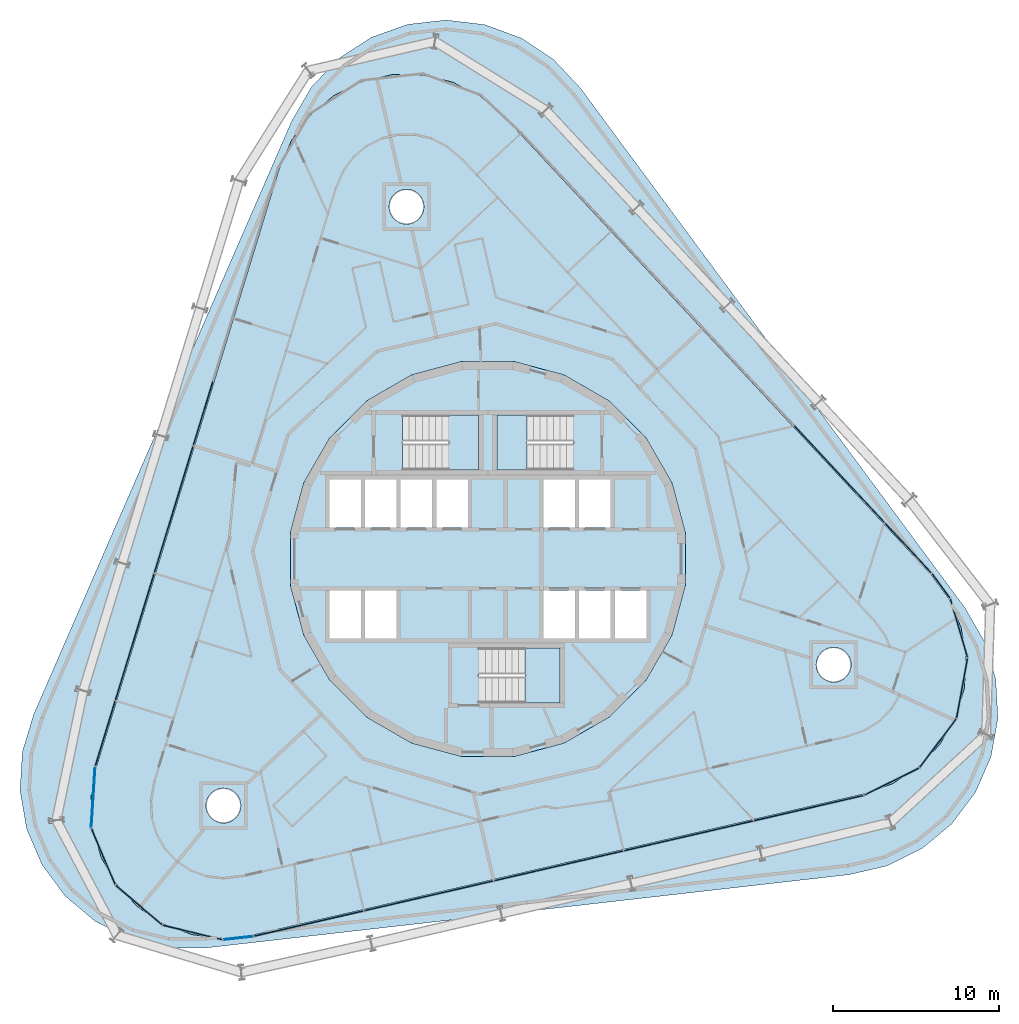
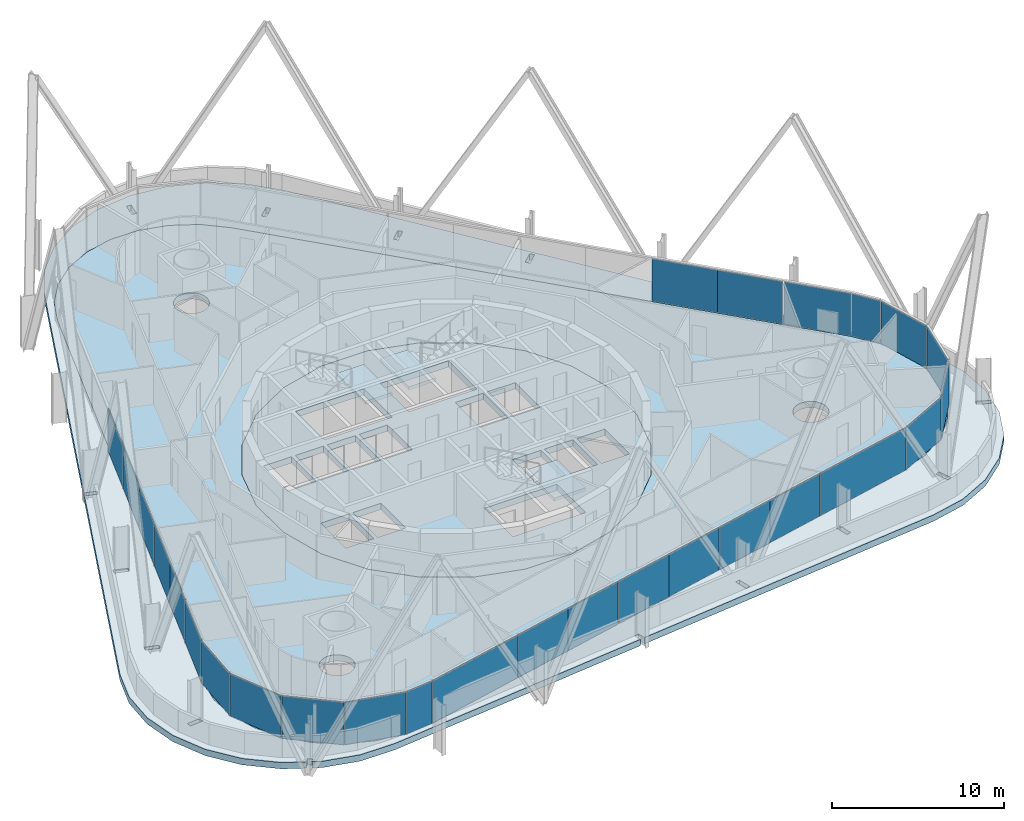
# One storey, part 10 of 18: 27 plates, 6 slabs, 8 elements without a shape of their own.
"""IFC4 building model written with IfcOpenShell, lengths in metres."""

from ifc_helpers import new_model, si_unit, direction, frame, origin, origin_2d, place, context, subcontext, project, spatial, polyline, rectangle, outline, extrude, material, layer, layer_set, type_object, element, aggregate, save


model = new_model("IFC4")

# Units and contexts
model_context = context("Model", 3, precision=1e-05, world=origin(), true_north=direction((0.0, 1.0)))
body_context = subcontext(model_context, "Body", "Model", "MODEL_VIEW")
ifc_project = project(units=[si_unit("LENGTHUNIT", "METRE"), si_unit("AREAUNIT", "SQUARE_METRE"), si_unit("VOLUMEUNIT", "CUBIC_METRE"), si_unit("PLANEANGLEUNIT", "RADIAN"), si_unit("MASSUNIT", "GRAM", prefix="KILO")], contexts=[model_context])

# Site, building, storey
site_placement = place(None, origin())
site = spatial("IfcSite", under=ifc_project, at=site_placement, CompositionType="ELEMENT")
building_placement = place(site_placement, origin())
building = spatial("IfcBuilding", under=site, at=building_placement, Name="Spindle Arch Residences", CompositionType="ELEMENT")
storey_placement = place(building_placement, frame((0.0, 0.0, 113.39990234375)))
storey = spatial("IfcBuildingStorey", under=building, at=storey_placement, Name="L27", CompositionType="ELEMENT", Elevation=113.39990234375)

# Slabs
ifc_material_1 = material(Name="Concrete C40/50", Category="concrete")
ifc_layer_1 = layer(ifc_material_1, 0.449951171875)
ifc_layer_set_1 = layer_set([ifc_layer_1], Name="Compartment floor slab 450")
slab_type_1 = type_object("IfcSlabType", Name="Compartment floor slab 450", PredefinedType="FLOOR", material=ifc_layer_set_1)
slab_1_placement = place(storey_placement, frame((0.0, 0.0, -0.449951171875)))
element("IfcSlab", 1, at=slab_1_placement, inside=storey, type_object=slab_type_1, Name="Floor slab L27", PredefinedType="FLOOR", context=body_context, shape_type="SweptSolid", body=[
    extrude(outline(polyline([(-15.976806640625, -22.85498046875), (-17.8203125, -22.628662109375), (-19.56201171875, -21.983154296875), (-21.108154296875, -20.95361328125), (-22.375, -19.594970703125), (-23.294189453125, -17.98095703125), (-23.816650390625, -16.198486328125), (-23.913818359375, -14.343505859375), (-23.58056640625, -12.51611328125), (-12.55029296875, 23.5625), (-11.8046875, 25.263916015625), (-10.686767578125, 26.747314453125), (-9.257080078125, 27.932861328125), (-7.59228515625, 28.7568359375), (-5.7822265625, 29.1748046875), (-3.9248046875, 29.163818359375), (-2.1201171875, 28.72509765625), (-0.465087890625, 27.881591796875), (0.950927734375, 26.679443359375), (26.680908203125, -0.912353515625), (27.781494140625, -2.40869140625), (28.507080078125, -4.11865234375), (28.819091796875, -5.94970703125), (28.7001953125, -7.803466796875), (28.1572265625, -9.57958984375), (27.218994140625, -11.182861328125), (25.9365234375, -12.526611328125), (24.37890625, -13.5380859375), (22.629638671875, -14.163330078125), (4.24951171875, -18.40673828125), (-14.130615234375, -22.650146484375), (-15.976806640625, -22.85498046875)]), holes=[polyline([(7.30517578125, -9.520263671875), (9.520263671875, -7.30517578125), (11.086669921875, -4.59228515625), (11.897216796875, -1.56640625), (11.897216796875, 1.56640625), (11.086669921875, 4.59228515625), (9.520263671875, 7.30517578125), (7.30517578125, 9.520263671875), (4.59228515625, 11.086669921875), (1.56640625, 11.897216796875), (-1.56640625, 11.897216796875), (-4.59228515625, 11.086669921875), (-7.30517578125, 9.520263671875), (-9.520263671875, 7.30517578125), (-11.086669921875, 4.59228515625), (-11.897216796875, 1.56640625), (-11.897216796875, -1.56640625), (-11.086669921875, -4.59228515625), (-9.520263671875, -7.30517578125), (-7.30517578125, -9.520263671875), (-4.59228515625, -11.086669921875), (-1.56640625, -11.897216796875), (1.56640625, -11.897216796875), (4.59228515625, -11.086669921875), (7.30517578125, -9.520263671875)]), polyline([(-15.187744140625, -15.59765625), (-15.05712890625, -15.4384765625), (-14.960205078125, -15.257080078125), (-14.900390625, -15.06005859375), (-14.880126953125, -14.855224609375), (-14.900390625, -14.650390625), (-14.960205078125, -14.453369140625), (-15.05712890625, -14.27197265625), (-15.187744140625, -14.11279296875), (-15.346923828125, -13.982177734375), (-15.5283203125, -13.885009765625), (-15.725341796875, -13.825439453125), (-15.93017578125, -13.80517578125), (-16.135009765625, -13.825439453125), (-16.33203125, -13.885009765625), (-16.513427734375, -13.982177734375), (-16.672607421875, -14.11279296875), (-16.80322265625, -14.27197265625), (-16.900390625, -14.453369140625), (-16.9599609375, -14.650390625), (-16.980224609375, -14.855224609375), (-16.9599609375, -15.06005859375), (-16.900390625, -15.257080078125), (-16.80322265625, -15.4384765625), (-16.672607421875, -15.59765625), (-16.513427734375, -15.728271484375), (-16.33203125, -15.8251953125), (-16.135009765625, -15.885009765625), (-15.93017578125, -15.9052734375), (-15.725341796875, -15.885009765625), (-15.5283203125, -15.8251953125), (-15.346923828125, -15.728271484375), (-15.187744140625, -15.59765625)]), polyline([(-4.02685546875, 20.64013671875), (-3.9296875, 20.82177734375), (-3.8701171875, 21.018798828125), (-3.849853515625, 21.223388671875), (-3.8701171875, 21.42822265625), (-3.9296875, 21.625244140625), (-4.02685546875, 21.806884765625), (-4.1572265625, 21.966064453125), (-4.31640625, 22.096435546875), (-4.498046875, 22.193603515625), (-4.695068359375, 22.25341796875), (-4.89990234375, 22.2734375), (-5.1044921875, 22.25341796875), (-5.301513671875, 22.193603515625), (-5.483154296875, 22.096435546875), (-5.642333984375, 21.966064453125), (-5.772705078125, 21.806884765625), (-5.869873046875, 21.625244140625), (-5.9296875, 21.42822265625), (-5.94970703125, 21.223388671875), (-5.9296875, 21.018798828125), (-5.869873046875, 20.82177734375), (-5.772705078125, 20.64013671875), (-5.642333984375, 20.48095703125), (-5.483154296875, 20.3505859375), (-5.301513671875, 20.25341796875), (-5.1044921875, 20.193603515625), (-4.89990234375, 20.173583984375), (-4.695068359375, 20.193603515625), (-4.498046875, 20.25341796875), (-4.31640625, 20.3505859375), (-4.1572265625, 20.48095703125), (-4.02685546875, 20.64013671875)]), polyline([(21.702880859375, -6.95166015625), (21.800048828125, -6.770263671875), (21.85986328125, -6.5732421875), (21.8798828125, -6.368408203125), (21.85986328125, -6.16357421875), (21.800048828125, -5.966552734375), (21.702880859375, -5.78515625), (21.572509765625, -5.6259765625), (21.413330078125, -5.495361328125), (21.231689453125, -5.398193359375), (21.034912109375, -5.338623046875), (20.830078125, -5.318359375), (20.625244140625, -5.338623046875), (20.42822265625, -5.398193359375), (20.24658203125, -5.495361328125), (20.08740234375, -5.6259765625), (19.95703125, -5.78515625), (19.85986328125, -5.966552734375), (19.80029296875, -6.16357421875), (19.780029296875, -6.368408203125), (19.80029296875, -6.5732421875), (19.85986328125, -6.770263671875), (19.95703125, -6.95166015625), (20.08740234375, -7.11083984375), (20.24658203125, -7.241455078125), (20.42822265625, -7.33837890625), (20.625244140625, -7.398193359375), (20.830078125, -7.41845703125), (21.034912109375, -7.398193359375), (21.231689453125, -7.33837890625), (21.413330078125, -7.241455078125), (21.572509765625, -7.11083984375), (21.702880859375, -6.95166015625)])]), origin(), (0.0, 0.0, 1.0), 0.449951171875),
])
ifc_material_2 = material(Name="Concrete C50/60", Category="concrete")
ifc_layer_2 = layer(ifc_material_2, 0.449951171875)
ifc_layer_set_2 = layer_set([ifc_layer_2], Name="Core floor slab 450")
slab_type_2 = type_object("IfcSlabType", Name="Core floor slab 450", PredefinedType="FLOOR", material=ifc_layer_set_2)
slab_2_placement = place(storey_placement, frame((0.0, 0.0, -0.449951171875)))
element("IfcSlab", 2, at=slab_2_placement, inside=storey, type_object=slab_type_2, Name="Core floor L27", PredefinedType="FLOOR", context=body_context, shape_type="SweptSolid", body=[
    extrude(outline(polyline([(1.56640625, -11.897216796875), (4.59228515625, -11.086669921875), (7.30517578125, -9.520263671875), (9.520263671875, -7.30517578125), (11.086669921875, -4.59228515625), (11.897216796875, -1.56640625), (11.897216796875, 1.56640625), (11.086669921875, 4.59228515625), (9.520263671875, 7.30517578125), (7.30517578125, 9.520263671875), (4.59228515625, 11.086669921875), (1.56640625, 11.897216796875), (-1.56640625, 11.897216796875), (-4.59228515625, 11.086669921875), (-7.30517578125, 9.520263671875), (-9.520263671875, 7.30517578125), (-11.086669921875, 4.59228515625), (-11.897216796875, 1.56640625), (-11.897216796875, -1.56640625), (-11.086669921875, -4.59228515625), (-9.520263671875, -7.30517578125), (-7.30517578125, -9.520263671875), (-4.59228515625, -11.086669921875), (-1.56640625, -11.897216796875), (1.56640625, -11.897216796875)]), holes=[polyline([(-9.550048828125, 1.89990234375), (-7.64990234375, 1.89990234375), (-7.64990234375, 4.800048828125), (-9.550048828125, 4.800048828125), (-9.550048828125, 1.89990234375)]), polyline([(-7.39990234375, 1.89990234375), (-5.5, 1.89990234375), (-5.5, 4.800048828125), (-7.39990234375, 4.800048828125), (-7.39990234375, 1.89990234375)]), polyline([(-5.25, 1.89990234375), (-3.35009765625, 1.89990234375), (-3.35009765625, 4.800048828125), (-5.25, 4.800048828125), (-5.25, 1.89990234375)]), polyline([(-3.10009765625, 1.89990234375), (-1.199951171875, 1.89990234375), (-1.199951171875, 4.800048828125), (-3.10009765625, 4.800048828125), (-3.10009765625, 1.89990234375)]), polyline([(3.35009765625, 1.89990234375), (5.25, 1.89990234375), (5.25, 4.800048828125), (3.35009765625, 4.800048828125), (3.35009765625, 1.89990234375)]), polyline([(5.5, 1.89990234375), (7.39990234375, 1.89990234375), (7.39990234375, 4.800048828125), (5.5, 4.800048828125), (5.5, 1.89990234375)]), polyline([(-9.550048828125, -4.800048828125), (-7.64990234375, -4.800048828125), (-7.64990234375, -1.89990234375), (-9.550048828125, -1.89990234375), (-9.550048828125, -4.800048828125)]), polyline([(-7.39990234375, -4.800048828125), (-5.5, -4.800048828125), (-5.5, -1.89990234375), (-7.39990234375, -1.89990234375), (-7.39990234375, -4.800048828125)]), polyline([(3.35009765625, -4.800048828125), (5.25, -4.800048828125), (5.25, -1.89990234375), (3.35009765625, -1.89990234375), (3.35009765625, -4.800048828125)]), polyline([(5.5, -4.800048828125), (7.39990234375, -4.800048828125), (7.39990234375, -1.89990234375), (5.5, -1.89990234375), (5.5, -4.800048828125)]), polyline([(7.64990234375, -4.800048828125), (9.550048828125, -4.800048828125), (9.550048828125, -1.89990234375), (7.64990234375, -1.89990234375), (7.64990234375, -4.800048828125)]), polyline([(5.1298828125, 8.669921875), (0.550048828125, 8.669921875), (0.550048828125, 5.35009765625), (5.1298828125, 5.35009765625), (5.1298828125, 8.669921875)]), polyline([(-5.1298828125, 5.35009765625), (-0.550048828125, 5.35009765625), (-0.550048828125, 8.669921875), (-5.1298828125, 8.669921875), (-5.1298828125, 5.35009765625)]), polyline([(-0.530029296875, -8.669921875), (4.35009765625, -8.669921875), (4.35009765625, -5.35009765625), (-0.530029296875, -5.35009765625), (-0.530029296875, -8.669921875)])]), origin(), (0.0, 0.0, 1.0), 0.449951171875),
])

# Stair, slab
ifc_material_3 = material(Name="Concrete C50/60", Category="concrete")
stair_type = type_object("IfcStairType", Name="Exit stair 16 risers", PredefinedType="HALF_TURN_STAIR", material=ifc_material_3)
stair_1_placement = place(storey_placement, origin())
stair_1 = element("IfcStair", 3, at=stair_1_placement, inside=storey, type_object=stair_type, Name="L27 Exit stair ST1", PredefinedType="HALF_TURN_STAIR")
ifc_material_4 = material(Name="Concrete C50/60", Category="concrete")
ifc_layer_3 = layer(ifc_material_4, 0.219970703125)
ifc_layer_set_3 = layer_set([ifc_layer_3], Name="Exit stair landing 220")
slab_type_3 = type_object("IfcSlabType", Name="Exit stair landing 220", PredefinedType="LANDING", material=ifc_layer_set_3)
slab_3_placement = place(storey_placement, frame((0.0, 0.0, 1.530029296875)))
slab_3 = element("IfcSlab", 4, at=slab_3_placement, type_object=slab_type_3, Name="ST1 landing 1", PredefinedType="LANDING", context=body_context, shape_type="SweptSolid", body=[
    extrude(outline(polyline([(2.3701171875, 8.669921875), (0.550048828125, 8.669921875), (0.550048828125, 5.35009765625), (2.3701171875, 5.35009765625), (2.3701171875, 8.669921875)])), origin(), (0.0, 0.0, 1.0), 0.219970703125),
])
aggregate(stair_1, [slab_3])

stair_2_placement = place(storey_placement, origin())
stair_2 = element("IfcStair", 5, at=stair_2_placement, inside=storey, type_object=stair_type, Name="L27 Exit stair ST2", PredefinedType="HALF_TURN_STAIR")
slab_4_placement = place(storey_placement, frame((0.0, 0.0, 1.530029296875)))
slab_4 = element("IfcSlab", 6, at=slab_4_placement, type_object=slab_type_3, Name="ST2 landing 1", PredefinedType="LANDING", context=body_context, shape_type="SweptSolid", body=[
    extrude(outline(polyline([(-2.3701171875, 5.35009765625), (-0.550048828125, 5.35009765625), (-0.550048828125, 8.669921875), (-2.3701171875, 8.669921875), (-2.3701171875, 5.35009765625)])), origin(), (0.0, 0.0, 1.0), 0.219970703125),
])
aggregate(stair_2, [slab_4])

stair_3_placement = place(storey_placement, origin())
stair_3 = element("IfcStair", 7, at=stair_3_placement, inside=storey, type_object=stair_type, Name="L27 Exit stair ST3", PredefinedType="HALF_TURN_STAIR")
slab_5_placement = place(storey_placement, frame((0.0, 0.0, 1.530029296875)))
slab_5 = element("IfcSlab", 8, at=slab_5_placement, type_object=slab_type_3, Name="ST3 landing 1", PredefinedType="LANDING", context=body_context, shape_type="SweptSolid", body=[
    extrude(outline(polyline([(2.22998046875, -8.669921875), (4.35009765625, -8.669921875), (4.35009765625, -5.35009765625), (2.22998046875, -5.35009765625), (2.22998046875, -8.669921875)])), origin(), (0.0, 0.0, 1.0), 0.219970703125),
])
aggregate(stair_3, [slab_5])

# Slab
ifc_material_5 = material(Name="Concrete C40/50", Category="concrete")
ifc_layer_4 = layer(ifc_material_5, 0.449951171875)
ifc_layer_set_4 = layer_set([ifc_layer_4], Name="Terrace slab 450")
slab_type_4 = type_object("IfcSlabType", Name="Terrace slab 450", PredefinedType="FLOOR", material=ifc_layer_set_4)
slab_6_placement = place(storey_placement, frame((0.0, 0.0, -0.449951171875)))
element("IfcSlab", 9, at=slab_6_placement, inside=storey, type_object=slab_type_4, Name="Terrace slab L26", PredefinedType="FLOOR", context=body_context, shape_type="SweptSolid", body=[
    extrude(outline(polyline([(-19.300537109375, -23.420654296875), (-21.580810546875, -22.873291015625), (-22.10595703125, -22.607666015625), (-21.940673828125, -22.40625), (-22.17236328125, -22.2158203125), (-22.38037109375, -22.468994140625), (-23.67333984375, -21.814697265625), (-25.465576171875, -20.302001953125), (-26.8603515625, -18.4169921875), (-27.782958984375, -16.260986328125), (-28.183349609375, -13.950439453125), (-28.040283203125, -11.609619140625), (-27.361083984375, -9.364990234375), (-20.07958984375, 7.381591796875), (-19.2958984375, 7.141845703125), (-19.208251953125, 7.4287109375), (-19.959228515625, 7.658447265625), (-11.81103515625, 26.397705078125), (-10.632568359375, 28.425048828125), (-9.018310546875, 30.126220703125), (-7.055419921875, 31.4091796875), (-4.849365234375, 32.204833984375), (-2.519287109375, 32.47021484375), (-0.19091796875, 32.191162109375), (2.01025390625, 31.3828125), (3.9658203125, 30.08837890625), (5.5703125, 28.3779296875), (19.63671875, 9.367919921875), (19.483642578125, 9.22509765625), (19.688232421875, 9.005615234375), (19.81640625, 9.125244140625), (28.7666015625, -2.97021484375), (29.93310546875, -5.00439453125), (30.599365234375, -7.2529296875), (30.728759765625, -9.594482421875), (30.31494140625, -11.902587890625), (29.3798828125, -14.05322265625), (27.973876953125, -15.93017578125), (26.173095703125, -17.432373046875), (24.074462890625, -18.478759765625), (21.791015625, -19.012939453125), (2.417724609375, -21.22021484375), (0.970947265625, -21.385009765625), (0.85498046875, -20.8837890625), (0.562744140625, -20.951416015625), (0.6708984375, -21.419189453125), (-16.95556640625, -23.427490234375), (-19.300537109375, -23.420654296875)]), holes=[polyline([(24.37890625, -13.5380859375), (25.9365234375, -12.526611328125), (27.218994140625, -11.182861328125), (28.1572265625, -9.57958984375), (28.7001953125, -7.803466796875), (28.819091796875, -5.94970703125), (28.507080078125, -4.11865234375), (27.781494140625, -2.40869140625), (26.680908203125, -0.912353515625), (0.950927734375, 26.679443359375), (-0.465087890625, 27.881591796875), (-2.1201171875, 28.72509765625), (-3.9248046875, 29.163818359375), (-5.7822265625, 29.1748046875), (-7.59228515625, 28.7568359375), (-9.257080078125, 27.932861328125), (-10.686767578125, 26.747314453125), (-11.8046875, 25.263916015625), (-12.55029296875, 23.5625), (-23.58056640625, -12.51611328125), (-23.913818359375, -14.343505859375), (-23.816650390625, -16.198486328125), (-23.294189453125, -17.98095703125), (-22.375, -19.594970703125), (-21.108154296875, -20.95361328125), (-19.56201171875, -21.983154296875), (-17.8203125, -22.628662109375), (-15.976806640625, -22.85498046875), (-14.130615234375, -22.650146484375), (4.24951171875, -18.40673828125), (22.629638671875, -14.163330078125), (24.37890625, -13.5380859375)]), polyline([(-25.555908203125, -15.553955078125), (-26.452392578125, -15.633056640625), (-26.42626953125, -15.931884765625), (-25.52978515625, -15.852783203125), (-25.555908203125, -15.553955078125)]), polyline([(-23.9033203125, -7.927978515625), (-24.763916015625, -7.664794921875), (-24.851806640625, -7.95166015625), (-23.990966796875, -8.21484375), (-23.9033203125, -7.927978515625)]), polyline([(-22.41650390625, 0.013427734375), (-22.504150390625, -0.2734375), (-21.643310546875, -0.53662109375), (-21.5556640625, -0.24951171875), (-22.41650390625, 0.013427734375)]), polyline([(-3.11376953125, 30.7080078125), (-2.9609375, 31.594970703125), (-3.256591796875, 31.645751953125), (-3.409423828125, 30.7587890625), (-3.11376953125, 30.7080078125)]), polyline([(8.588623046875, -20.02197265625), (8.881103515625, -19.95458984375), (8.678466796875, -19.07763671875), (8.38623046875, -19.14501953125), (8.588623046875, -20.02197265625)]), polyline([(16.412109375, -18.2158203125), (16.704345703125, -18.1484375), (16.501953125, -17.271484375), (16.209716796875, -17.339111328125), (16.412109375, -18.2158203125)]), polyline([(23.96728515625, -15.495361328125), (24.273193359375, -16.341796875), (24.555419921875, -16.239990234375), (24.24951171875, -15.3935546875), (23.96728515625, -15.495361328125)]), polyline([(29.54248046875, -10.5205078125), (30.36083984375, -10.89501953125), (30.485595703125, -10.622314453125), (29.667236328125, -10.247802734375), (29.54248046875, -10.5205078125)]), polyline([(14.87060546875, 15.49169921875), (14.666015625, 15.711181640625), (14.0078125, 15.097412109375), (14.21240234375, 14.8779296875), (14.87060546875, 15.49169921875)]), polyline([(8.736328125, 20.75), (9.39453125, 21.36376953125), (9.18994140625, 21.583251953125), (8.53173828125, 20.969482421875), (8.736328125, 20.75)]), polyline([(3.260498046875, 26.622314453125), (3.918701171875, 27.236083984375), (3.714111328125, 27.455322265625), (3.055908203125, 26.841552734375), (3.260498046875, 26.622314453125)])]), origin(), (0.0, 0.0, 1.0), 0.449951171875),
])

# Curtain wall, plates
ifc_material_6 = material(Name="Aluminium bronze unitised frame with tinted glass", Category="aluminium")
ifc_layer_5 = layer(ifc_material_6, 0.159912109375)
ifc_layer_set_5 = layer_set([ifc_layer_5], Name="CW-D corner wall on the fillet arcs")
curtain_wall_type_1 = type_object("IfcCurtainWallType", Name="CW-D corner wall on the fillet arcs", PredefinedType="NOTDEFINED", material=ifc_layer_set_5)
curtain_wall_1_placement = place(storey_placement, origin())
curtain_wall_1 = element("IfcCurtainWall", 10, at=curtain_wall_1_placement, inside=storey, type_object=curtain_wall_type_1, Name="CW-D L27 run 1", PredefinedType="NOTDEFINED")
ifc_material_7 = material(Name="Tinted double glazing over aluminium faced non-combustible spandrel zone (K0)", Category="aluminium")
ifc_layer_6 = layer(ifc_material_7, 0.06005859375)
ifc_layer_set_6 = layer_set([ifc_layer_6], Name="Unitised glass panel with E 60 spandrel zone")
plate_type = type_object("IfcPlateType", Name="Unitised glass panel with E 60 spandrel zone", PredefinedType="CURTAIN_PANEL", material=ifc_layer_set_6)
plate_1_placement = place(storey_placement, frame((19.3251953125, -15.00830078125, -0.44970703125), z_axis=(0.0, 0.0, 1.0), x_axis=(0.974370064785, 0.224951054344, 0.0)))
plate_1 = element("IfcPlate", 11, at=plate_1_placement, type_object=plate_type, Name="CW-D unit 00", PredefinedType="CURTAIN_PANEL", context=body_context, shape_type="SweptSolid", body=[
    extrude(rectangle(XDim=6.759765625, YDim=0.06005859375, at=origin_2d()), origin(), (0.0, 0.0, 1.0), 3.449951171875),
])
plate_2_placement = place(storey_placement, frame((24.317626953125, -13.414794921875, -0.44970703125), z_axis=(0.0, 0.0, 1.0), x_axis=(0.896228507614, 0.443592675931, 0.0)))
plate_2 = element("IfcPlate", 12, at=plate_2_placement, type_object=plate_type, Name="CW-D unit 01", PredefinedType="CURTAIN_PANEL", context=body_context, shape_type="SweptSolid", body=[
    extrude(rectangle(XDim=3.666748046875, YDim=0.06005859375, at=origin_2d()), origin(), (0.0, 0.0, 1.0), 3.449951171875),
])
plate_3_placement = place(storey_placement, frame((27.109130859375, -11.099853515625, -0.44970703125), z_axis=(0.0, 0.0, 1.0), x_axis=(0.601815021814, 0.798635511056, 0.0)))
plate_3 = element("IfcPlate", 13, at=plate_3_placement, type_object=plate_type, Name="CW-D unit 02", PredefinedType="CURTAIN_PANEL", context=body_context, shape_type="SweptSolid", body=[
    extrude(rectangle(XDim=3.666748046875, YDim=0.06005859375, at=origin_2d()), origin(), (0.0, 0.0, 1.0), 3.449951171875),
])
plate_4_placement = place(storey_placement, frame((28.564697265625, -7.778564453125, -0.44970703125), z_axis=(0.0, 0.0, 1.0), x_axis=(0.17937458782, 0.983780848179, 0.0)))
plate_4 = element("IfcPlate", 14, at=plate_4_placement, type_object=plate_type, Name="CW-D unit 03", PredefinedType="CURTAIN_PANEL", context=body_context, shape_type="SweptSolid", body=[
    extrude(rectangle(XDim=3.666748046875, YDim=0.06005859375, at=origin_2d()), origin(), (0.0, 0.0, 1.0), 3.449951171875),
])
plate_5_placement = place(storey_placement, frame((28.375, -4.1572265625, -0.44970703125), z_axis=(0.0, 0.0, 1.0), x_axis=(-0.281225052549, 0.959641844554, 0.0)))
plate_5 = element("IfcPlate", 15, at=plate_5_placement, type_object=plate_type, Name="CW-D unit 04", PredefinedType="CURTAIN_PANEL", context=body_context, shape_type="SweptSolid", body=[
    extrude(rectangle(XDim=3.666748046875, YDim=0.06005859375, at=origin_2d()), origin(), (0.0, 0.0, 1.0), 3.449951171875),
])
plate_6_placement = place(storey_placement, frame((27.295166015625, -1.613525390625, -0.44970703125), z_axis=(0.0, 0.0, 1.0), x_axis=(-0.592481951039, 0.805583724819, 0.0)))
plate_6 = element("IfcPlate", 16, at=plate_6_placement, type_object=plate_type, Name="CW-D unit 05", PredefinedType="CURTAIN_PANEL", context=body_context, shape_type="SweptSolid", body=[
    extrude(rectangle(XDim=1.816162109375, YDim=0.06005859375, at=origin_2d()), origin(), (0.0, 0.0, 1.0), 3.449951171875),
])
plate_7_placement = place(storey_placement, frame((25.326416015625, 0.6572265625, -0.44970703125), z_axis=(0.0, 0.0, 1.0), x_axis=(-0.681998360062, 0.731353701619, 0.0)))
plate_7 = element("IfcPlate", 17, at=plate_7_placement, type_object=plate_type, Name="CW-D unit 06", PredefinedType="CURTAIN_PANEL", context=body_context, shape_type="SweptSolid", body=[
    extrude(rectangle(XDim=4.08349609375, YDim=0.06005859375, at=origin_2d()), origin(), (0.0, 0.0, 1.0), 3.449951171875),
])
aggregate(curtain_wall_1, [plate_1, plate_2, plate_3, plate_4, plate_5, plate_6, plate_7])

ifc_material_8 = material(Name="Aluminium bronze unitised frame with tinted glass", Category="aluminium")
ifc_layer_7 = layer(ifc_material_8, 0.159912109375)
ifc_layer_set_7 = layer_set([ifc_layer_7], Name="CW-C typical residential unitised wall")
curtain_wall_type_2 = type_object("IfcCurtainWallType", Name="CW-C typical residential unitised wall", PredefinedType="NOTDEFINED", material=ifc_layer_set_7)
curtain_wall_2_placement = place(storey_placement, origin())
curtain_wall_2 = element("IfcCurtainWall", 18, at=curtain_wall_2_placement, inside=storey, type_object=curtain_wall_type_2, Name="CW-C L27 run 2", PredefinedType="NOTDEFINED")
plate_8_placement = place(storey_placement, frame((22.534423828125, 3.651611328125, -0.44970703125), z_axis=(0.0, 0.0, 1.0), x_axis=(-0.681998360062, 0.731353701619, 0.0)))
plate_8 = element("IfcPlate", 19, at=plate_8_placement, type_object=plate_type, Name="CW-C unit 05A", PredefinedType="CURTAIN_PANEL", context=body_context, shape_type="SweptSolid", body=[
    extrude(rectangle(XDim=3.984619140625, YDim=0.06005859375, at=origin_2d()), origin(), (0.0, 0.0, 1.0), 3.449951171875),
])
plate_9_placement = place(storey_placement, frame((19.81689453125, 6.565673828125, -0.44970703125), z_axis=(0.0, 0.0, 1.0), x_axis=(-0.681998360062, 0.731353701619, 0.0)))
plate_9 = element("IfcPlate", 20, at=plate_9_placement, type_object=plate_type, Name="CW-C unit 05B", PredefinedType="CURTAIN_PANEL", context=body_context, shape_type="SweptSolid", body=[
    extrude(rectangle(XDim=3.984619140625, YDim=0.06005859375, at=origin_2d()), origin(), (0.0, 0.0, 1.0), 3.449951171875),
])
aggregate(curtain_wall_2, [plate_8, plate_9])

curtain_wall_3_placement = place(storey_placement, origin())
curtain_wall_3 = element("IfcCurtainWall", 21, at=curtain_wall_3_placement, inside=storey, type_object=curtain_wall_type_2, Name="CW-C L27 run 4", PredefinedType="NOTDEFINED")
plate_10_placement = place(storey_placement, frame((-17.159423828125, 8.76025390625, -0.44970703125), z_axis=(0.0, 0.0, 1.0), x_axis=(-0.292371704723, -0.956304755963, 0.0)))
plate_10 = element("IfcPlate", 22, at=plate_10_placement, type_object=plate_type, Name="CW-C unit 13B", PredefinedType="CURTAIN_PANEL", context=body_context, shape_type="SweptSolid", body=[
    extrude(rectangle(XDim=3.984619140625, YDim=0.06005859375, at=origin_2d()), origin(), (0.0, 0.0, 1.0), 3.449951171875),
])
plate_11_placement = place(storey_placement, frame((-18.342041015625, 4.892333984375, -0.44970703125), z_axis=(0.0, 0.0, 1.0), x_axis=(-0.292371704723, -0.956304755963, 0.0)))
plate_11 = element("IfcPlate", 23, at=plate_11_placement, type_object=plate_type, Name="CW-C unit 14A", PredefinedType="CURTAIN_PANEL", context=body_context, shape_type="SweptSolid", body=[
    extrude(rectangle(XDim=3.984619140625, YDim=0.06005859375, at=origin_2d()), origin(), (0.0, 0.0, 1.0), 3.449951171875),
])
plate_12_placement = place(storey_placement, frame((-19.5068359375, 1.081787109375, -0.44970703125), z_axis=(0.0, 0.0, 1.0), x_axis=(-0.292371704723, -0.956304755963, 0.0)))
plate_12 = element("IfcPlate", 24, at=plate_12_placement, type_object=plate_type, Name="CW-C unit 14B", PredefinedType="CURTAIN_PANEL", context=body_context, shape_type="SweptSolid", body=[
    extrude(rectangle(XDim=3.984619140625, YDim=0.06005859375, at=origin_2d()), origin(), (0.0, 0.0, 1.0), 3.449951171875),
])
plate_13_placement = place(storey_placement, frame((-20.689453125, -2.785888671875, -0.44970703125), z_axis=(0.0, 0.0, 1.0), x_axis=(-0.292371704723, -0.956304755963, 0.0)))
plate_13 = element("IfcPlate", 25, at=plate_13_placement, type_object=plate_type, Name="CW-C unit 15A", PredefinedType="CURTAIN_PANEL", context=body_context, shape_type="SweptSolid", body=[
    extrude(rectangle(XDim=3.984619140625, YDim=0.06005859375, at=origin_2d()), origin(), (0.0, 0.0, 1.0), 3.449951171875),
])
plate_14_placement = place(storey_placement, frame((-21.8544921875, -6.596435546875, -0.44970703125), z_axis=(0.0, 0.0, 1.0), x_axis=(-0.292371704723, -0.956304755963, 0.0)))
plate_14 = element("IfcPlate", 26, at=plate_14_placement, type_object=plate_type, Name="CW-C unit 15B", PredefinedType="CURTAIN_PANEL", context=body_context, shape_type="SweptSolid", body=[
    extrude(rectangle(XDim=3.984619140625, YDim=0.06005859375, at=origin_2d()), origin(), (0.0, 0.0, 1.0), 3.449951171875),
])
aggregate(curtain_wall_3, [plate_10, plate_11, plate_12, plate_13, plate_14])

curtain_wall_4_placement = place(storey_placement, origin())
curtain_wall_4 = element("IfcCurtainWall", 27, at=curtain_wall_4_placement, inside=storey, type_object=curtain_wall_type_1, Name="CW-D L27 run 5", PredefinedType="NOTDEFINED")
plate_15_placement = place(storey_placement, frame((-23.051513671875, -10.511474609375, -0.44970703125), z_axis=(0.0, 0.0, 1.0), x_axis=(-0.292371704723, -0.956304755963, 0.0)))
plate_15 = element("IfcPlate", 28, at=plate_15_placement, type_object=plate_type, Name="CW-D unit 00", PredefinedType="CURTAIN_PANEL", context=body_context, shape_type="SweptSolid", body=[
    extrude(rectangle(XDim=4.08349609375, YDim=0.06005859375, at=origin_2d()), origin(), (0.0, 0.0, 1.0), 3.449951171875),
])
plate_16_placement = place(storey_placement, frame((-23.7763671875, -14.352294921875, -0.44970703125), z_axis=(0.0, 0.0, 1.0), x_axis=(-0.063951729226, -0.997952993046, 0.0)))
plate_16 = element("IfcPlate", 29, at=plate_16_placement, type_object=plate_type, Name="CW-D unit 01", PredefinedType="CURTAIN_PANEL", context=body_context, shape_type="SweptSolid", body=[
    extrude(rectangle(XDim=3.666748046875, YDim=0.06005859375, at=origin_2d()), origin(), (0.0, 0.0, 1.0), 3.449951171875),
])
plate_17_placement = place(storey_placement, frame((-23.16748046875, -17.92724609375, -0.44970703125), z_axis=(0.0, 0.0, 1.0), x_axis=(0.390731127124, -0.920504854032, 0.0)))
plate_17 = element("IfcPlate", 30, at=plate_17_placement, type_object=plate_type, Name="CW-D unit 02", PredefinedType="CURTAIN_PANEL", context=body_context, shape_type="SweptSolid", body=[
    extrude(rectangle(XDim=3.666748046875, YDim=0.06005859375, at=origin_2d()), origin(), (0.0, 0.0, 1.0), 3.449951171875),
])
plate_18_placement = place(storey_placement, frame((-21.018798828125, -20.848388671875, -0.44970703125), z_axis=(0.0, 0.0, 1.0), x_axis=(0.762291912042, -0.647233374321, 0.0)))
plate_18 = element("IfcPlate", 31, at=plate_18_placement, type_object=plate_type, Name="CW-D unit 03", PredefinedType="CURTAIN_PANEL", context=body_context, shape_type="SweptSolid", body=[
    extrude(rectangle(XDim=3.666748046875, YDim=0.06005859375, at=origin_2d()), origin(), (0.0, 0.0, 1.0), 3.449951171875),
])
plate_19_placement = place(storey_placement, frame((-17.787841796875, -22.49462890625, -0.44970703125), z_axis=(0.0, 0.0, 1.0), x_axis=(0.971686742139, -0.23627288281, 0.0)))
plate_19 = element("IfcPlate", 32, at=plate_19_placement, type_object=plate_type, Name="CW-D unit 04", PredefinedType="CURTAIN_PANEL", context=body_context, shape_type="SweptSolid", body=[
    extrude(rectangle(XDim=3.666748046875, YDim=0.06005859375, at=origin_2d()), origin(), (0.0, 0.0, 1.0), 3.449951171875),
])
plate_20_placement = place(storey_placement, frame((-15.044921875, -22.83154296875, -0.44970703125), z_axis=(0.0, 0.0, 1.0), x_axis=(0.993896946542, 0.110312554381, 0.0)))
plate_20 = element("IfcPlate", 33, at=plate_20_placement, type_object=plate_type, Name="CW-D unit 05", PredefinedType="CURTAIN_PANEL", context=body_context, shape_type="SweptSolid", body=[
    extrude(rectangle(XDim=1.816162109375, YDim=0.06005859375, at=origin_2d()), origin(), (0.0, 0.0, 1.0), 3.449951171875),
])
plate_21_placement = place(storey_placement, frame((-10.7900390625, -21.9609375, -0.44970703125), z_axis=(0.0, 0.0, 1.0), x_axis=(0.974370064785, 0.224951054344, 0.0)))
plate_21 = element("IfcPlate", 34, at=plate_21_placement, type_object=plate_type, Name="CW-D unit 06", PredefinedType="CURTAIN_PANEL", context=body_context, shape_type="SweptSolid", body=[
    extrude(rectangle(XDim=6.759765625, YDim=0.06005859375, at=origin_2d()), origin(), (0.0, 0.0, 1.0), 3.449951171875),
])
aggregate(curtain_wall_4, [plate_15, plate_16, plate_17, plate_18, plate_19, plate_20, plate_21])

curtain_wall_5_placement = place(storey_placement, origin())
curtain_wall_5 = element("IfcCurtainWall", 35, at=curtain_wall_5_placement, inside=storey, type_object=curtain_wall_type_2, Name="CW-C L27 run 6", PredefinedType="NOTDEFINED")
plate_22_placement = place(storey_placement, frame((-5.4970703125, -20.739013671875, -0.44970703125), z_axis=(0.0, 0.0, 1.0), x_axis=(0.974370064785, 0.224951054344, 0.0)))
plate_22 = element("IfcPlate", 36, at=plate_22_placement, type_object=plate_type, Name="CW-C unit 20A", PredefinedType="CURTAIN_PANEL", context=body_context, shape_type="SweptSolid", body=[
    extrude(rectangle(XDim=3.984619140625, YDim=0.06005859375, at=origin_2d()), origin(), (0.0, 0.0, 1.0), 3.449951171875),
])
plate_23_placement = place(storey_placement, frame((-1.61474609375, -19.8427734375, -0.44970703125), z_axis=(0.0, 0.0, 1.0), x_axis=(0.974370064785, 0.224951054344, 0.0)))
plate_23 = element("IfcPlate", 37, at=plate_23_placement, type_object=plate_type, Name="CW-C unit 20B", PredefinedType="CURTAIN_PANEL", context=body_context, shape_type="SweptSolid", body=[
    extrude(rectangle(XDim=3.984619140625, YDim=0.06005859375, at=origin_2d()), origin(), (0.0, 0.0, 1.0), 3.449951171875),
])
plate_24_placement = place(storey_placement, frame((2.326416015625, -18.932861328125, -0.44970703125), z_axis=(0.0, 0.0, 1.0), x_axis=(0.974370064785, 0.224951054344, 0.0)))
plate_24 = element("IfcPlate", 38, at=plate_24_placement, type_object=plate_type, Name="CW-C unit 21A", PredefinedType="CURTAIN_PANEL", context=body_context, shape_type="SweptSolid", body=[
    extrude(rectangle(XDim=3.984619140625, YDim=0.06005859375, at=origin_2d()), origin(), (0.0, 0.0, 1.0), 3.449951171875),
])
plate_25_placement = place(storey_placement, frame((6.208740234375, -18.03662109375, -0.44970703125), z_axis=(0.0, 0.0, 1.0), x_axis=(0.974370064785, 0.224951054344, 0.0)))
plate_25 = element("IfcPlate", 39, at=plate_25_placement, type_object=plate_type, Name="CW-C unit 21B", PredefinedType="CURTAIN_PANEL", context=body_context, shape_type="SweptSolid", body=[
    extrude(rectangle(XDim=3.984619140625, YDim=0.06005859375, at=origin_2d()), origin(), (0.0, 0.0, 1.0), 3.449951171875),
])
plate_26_placement = place(storey_placement, frame((10.149658203125, -17.126708984375, -0.44970703125), z_axis=(0.0, 0.0, 1.0), x_axis=(0.974370064785, 0.224951054344, 0.0)))
plate_26 = element("IfcPlate", 40, at=plate_26_placement, type_object=plate_type, Name="CW-C unit 00A", PredefinedType="CURTAIN_PANEL", context=body_context, shape_type="SweptSolid", body=[
    extrude(rectangle(XDim=3.984619140625, YDim=0.06005859375, at=origin_2d()), origin(), (0.0, 0.0, 1.0), 3.449951171875),
])
plate_27_placement = place(storey_placement, frame((14.0322265625, -16.230224609375, -0.44970703125), z_axis=(0.0, 0.0, 1.0), x_axis=(0.974370064785, 0.224951054344, 0.0)))
plate_27 = element("IfcPlate", 41, at=plate_27_placement, type_object=plate_type, Name="CW-C unit 00B", PredefinedType="CURTAIN_PANEL", context=body_context, shape_type="SweptSolid", body=[
    extrude(rectangle(XDim=3.984619140625, YDim=0.06005859375, at=origin_2d()), origin(), (0.0, 0.0, 1.0), 3.449951171875),
])
aggregate(curtain_wall_5, [plate_22, plate_23, plate_24, plate_25, plate_26, plate_27])

save(model, "model.ifc")
